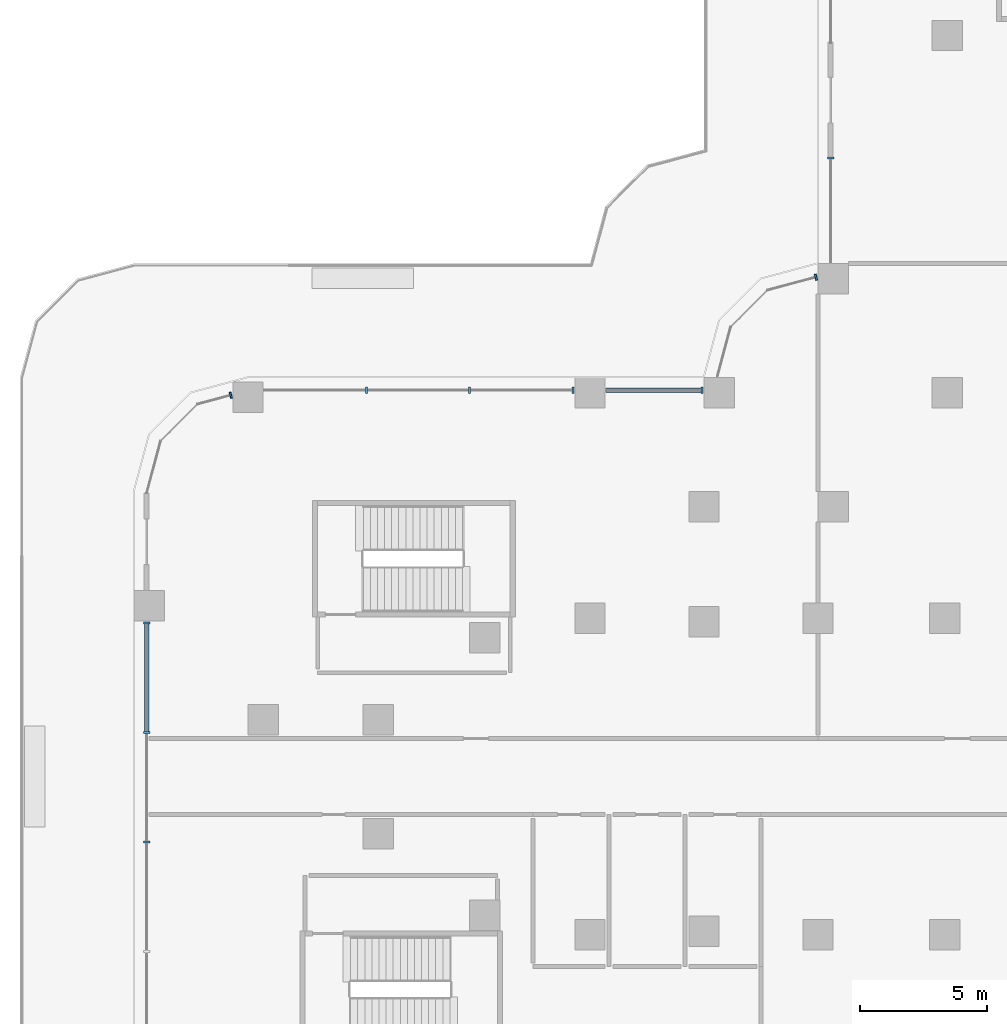
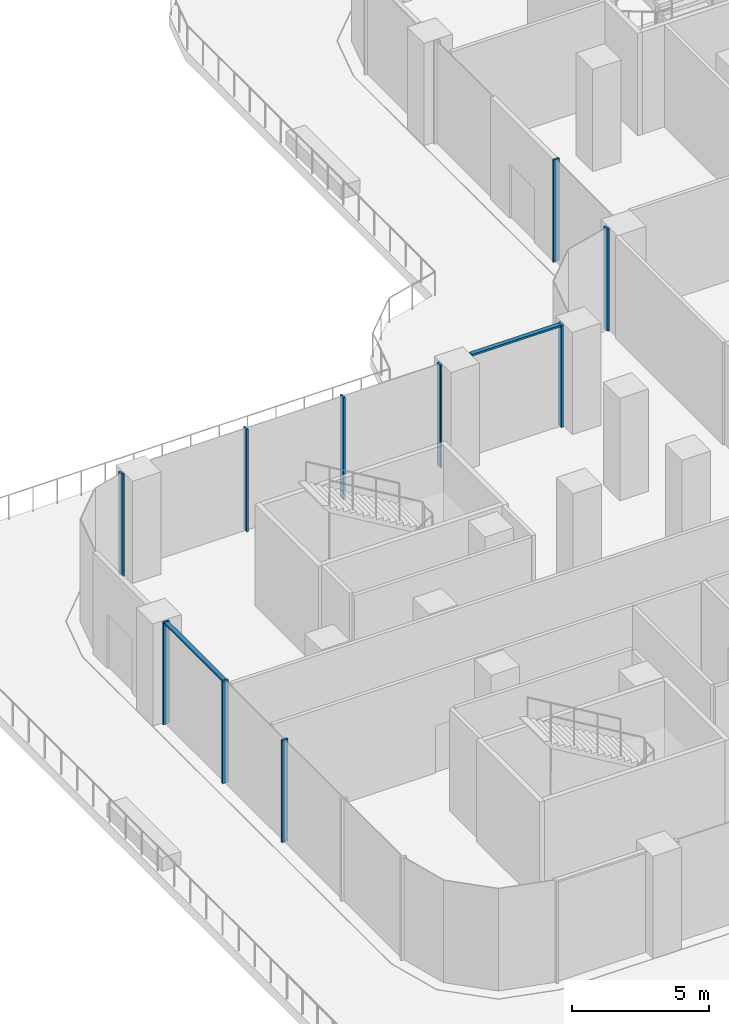
# One storey, part 7 of 27: 12 members, 5 elements without a shape of their own.
"""IFC4 building model written with IfcOpenShell, lengths in metres."""

from ifc_helpers import new_model, si_unit, direction, frame, origin, place, context, subcontext, project, spatial, polyline, outline, extrude, source, transform, mapped, material, type_object, element, aggregate, save


model = new_model("IFC4")

# Units and contexts
model_context = context("Model", 3, precision=1e-05, world=origin(), true_north=direction((0.0, 1.0)))
body_context = subcontext(model_context, "Body", "Model", "MODEL_VIEW")
ifc_project = project(units=[si_unit("LENGTHUNIT", "METRE"), si_unit("AREAUNIT", "SQUARE_METRE"), si_unit("VOLUMEUNIT", "CUBIC_METRE"), si_unit("PLANEANGLEUNIT", "RADIAN"), si_unit("MASSUNIT", "GRAM", prefix="KILO")], contexts=[model_context])

# Site, building, storey
site_placement = place(None, origin())
site = spatial("IfcSite", under=ifc_project, at=site_placement, CompositionType="ELEMENT")
building_placement = place(site_placement, origin())
building = spatial("IfcBuilding", under=site, at=building_placement, Name="Zarbagh Exchange Tower", CompositionType="ELEMENT")
storey_placement = place(building_placement, frame((0.0, 0.0, 17.0)))
storey = spatial("IfcBuildingStorey", under=building, at=storey_placement, Name="L03", CompositionType="ELEMENT", Elevation=17.0)

# Curtain wall, member
ifc_material_1 = material(Name="Anodised aluminium frame and glazing", Category="aluminium")
curtain_wall_type = type_object("IfcCurtainWallType", Name="CWC Podium garden-wall glazing", PredefinedType="NOTDEFINED", material=ifc_material_1)
curtain_wall_1_placement = place(storey_placement, origin())
curtain_wall_1 = element("IfcCurtainWall", 1, at=curtain_wall_1_placement, inside=storey, type_object=curtain_wall_type, Name="CWC174 curtain wall", PredefinedType="NOTDEFINED")
ifc_material_2 = material(Name="Anodised aluminium frame", Category="aluminium")
member_type_1 = type_object("IfcMemberType", Name="TRC Transom, anodised aluminium frame", PredefinedType="USERDEFINED", material=ifc_material_2)
shared_shape_1 = source(origin(), body_context, "Body", "SweptSolid", [
    extrude(outline(polyline([(-0.080078125, -0.090087890625), (0.0, -0.090087890625), (0.0, 0.090087890625), (-0.080078125, 0.090087890625), (-0.080078125, -0.090087890625)])), origin(), (0.0, 0.0, 1.0), 3.739990234375),
])
placement = place(storey_placement, origin())
member_1 = element("IfcMember", 2, at=placement, type_object=member_type_1, Name="CWC174 transom 1.1", ObjectType="TRANSOM", PredefinedType="USERDEFINED", context=body_context, shape_type="MappedRepresentation", body=[
    mapped(shared_shape_1, transform((-20.3701171875, 15.25, 4.550048828125), x_axis=(0.0, 0.0, 1.0), y_axis=(0.0, 1.0, 0.0), z_axis=(-1.0, 0.0, 0.0))),
])

curtain_wall_2_placement = place(storey_placement, origin())
curtain_wall_2 = element("IfcCurtainWall", 3, at=curtain_wall_2_placement, inside=storey, type_object=curtain_wall_type, Name="CWC170 curtain wall", PredefinedType="NOTDEFINED")
member_type_2 = type_object("IfcMemberType", Name="MUC Mullion, anodised aluminium frame", PredefinedType="MULLION", material=ifc_material_2)
shared_shape_2 = source(origin(), body_context, "Body", "SweptSolid", [
    extrude(outline(polyline([(0.0, -0.125), (0.080078125, -0.125), (0.080078125, 0.125), (0.0, 0.125), (0.0, -0.125)])), origin(), (0.0, 0.0, 1.0), 4.550048828125),
])
member_2 = element("IfcMember", 4, at=placement, type_object=member_type_2, Name="CWC170 mullion 3.1", PredefinedType="MULLION", context=body_context, shape_type="MappedRepresentation", body=[
    mapped(shared_shape_2, transform((-15.25, 24.449951171875, 0.0), x_axis=(0.0, -1.0, 0.0), y_axis=(1.0, 0.0, 0.0), z_axis=(0.0, 0.0, 1.0))),
])
aggregate(curtain_wall_2, [member_2])

curtain_wall_3_placement = place(storey_placement, origin())
curtain_wall_3 = element("IfcCurtainWall", 5, at=curtain_wall_3_placement, inside=storey, type_object=curtain_wall_type, Name="CWC171 curtain wall", PredefinedType="NOTDEFINED")
member_3 = element("IfcMember", 6, at=placement, type_object=member_type_2, Name="CWC171 mullion 1.1", PredefinedType="MULLION", context=body_context, shape_type="MappedRepresentation", body=[
    mapped(shared_shape_2, transform((-15.7900390625, 19.7216796875, 0.0), x_axis=(-0.965924289636, -0.258824779902, 0.0), y_axis=(0.258824779902, -0.965924289636, 0.0), z_axis=(0.0, 0.0, 1.0))),
])
aggregate(curtain_wall_3, [member_3])

# Member
member_4 = element("IfcMember", 7, at=placement, type_object=member_type_2, Name="CWC174 mullion 1.1", PredefinedType="MULLION", context=body_context, shape_type="MappedRepresentation", body=[
    mapped(shared_shape_2, transform((-20.2900390625, 15.25, 0.0), x_axis=(-1.0, 0.0, 0.0), y_axis=(0.0, -1.0, 0.0), z_axis=(0.0, 0.0, 1.0))),
])

member_5 = element("IfcMember", 8, at=placement, type_object=member_type_2, Name="CWC174 mullion 2.1", PredefinedType="MULLION", context=body_context, shape_type="MappedRepresentation", body=[
    mapped(shared_shape_2, transform((-25.39013671875, 15.25, 0.0), x_axis=(-1.0, 0.0, 0.0), y_axis=(0.0, -1.0, 0.0), z_axis=(0.0, 0.0, 1.0))),
])

member_6 = element("IfcMember", 9, at=placement, type_object=member_type_2, Name="CWC174 mullion 2.2", PredefinedType="MULLION", context=body_context, shape_type="MappedRepresentation", body=[
    mapped(shared_shape_2, transform((-29.46337890625, 15.25, 0.0), x_axis=(-1.0, 0.0, 0.0), y_axis=(0.0, -1.0, 0.0), z_axis=(0.0, 0.0, 1.0))),
])

member_7 = element("IfcMember", 10, at=placement, type_object=member_type_2, Name="CWC174 mullion 2.3", PredefinedType="MULLION", context=body_context, shape_type="MappedRepresentation", body=[
    mapped(shared_shape_2, transform((-33.53662109375, 15.25, 0.0), x_axis=(-1.0, 0.0, 0.0), y_axis=(0.0, -1.0, 0.0), z_axis=(0.0, 0.0, 1.0))),
])

aggregate(curtain_wall_1, [member_4, member_1, member_5, member_6, member_7])

# Curtain wall, member
curtain_wall_4_placement = place(storey_placement, origin())
curtain_wall_4 = element("IfcCurtainWall", 11, at=curtain_wall_4_placement, inside=storey, type_object=curtain_wall_type, Name="CWC175 curtain wall", PredefinedType="NOTDEFINED")
member_8 = element("IfcMember", 12, at=placement, type_object=member_type_2, Name="CWC175 mullion 1.1", PredefinedType="MULLION", context=body_context, shape_type="MappedRepresentation", body=[
    mapped(shared_shape_2, transform((-38.889892578125, 15.060791015625, 0.0), x_axis=(-0.965924289636, -0.258824779902, 0.0), y_axis=(0.258824779902, -0.965924289636, 0.0), z_axis=(0.0, 0.0, 1.0))),
])
aggregate(curtain_wall_4, [member_8])

# Curtain wall, members
curtain_wall_5_placement = place(storey_placement, origin())
curtain_wall_5 = element("IfcCurtainWall", 13, at=curtain_wall_5_placement, inside=storey, type_object=curtain_wall_type, Name="CWC178 curtain wall", PredefinedType="NOTDEFINED")
member_9 = element("IfcMember", 14, at=placement, type_object=member_type_2, Name="CWC178 mullion 1.1", PredefinedType="MULLION", context=body_context, shape_type="MappedRepresentation", body=[
    mapped(shared_shape_2, transform((-42.25, 6.10986328125, 0.0), x_axis=(0.0, -1.0, 0.0), y_axis=(1.0, 0.0, 0.0), z_axis=(0.0, 0.0, 1.0))),
])
member_10 = element("IfcMember", 15, at=placement, type_object=member_type_2, Name="CWC178 mullion 1.2", PredefinedType="MULLION", context=body_context, shape_type="MappedRepresentation", body=[
    mapped(shared_shape_2, transform((-42.25, 1.786376953125, 0.0), x_axis=(0.0, -1.0, 0.0), y_axis=(1.0, 0.0, 0.0), z_axis=(0.0, 0.0, 1.0))),
])
member_11 = element("IfcMember", 16, at=placement, type_object=member_type_2, Name="CWC178 mullion 1.3", PredefinedType="MULLION", context=body_context, shape_type="MappedRepresentation", body=[
    mapped(shared_shape_2, transform((-42.25, -2.537109375, 0.0), x_axis=(0.0, -1.0, 0.0), y_axis=(1.0, 0.0, 0.0), z_axis=(0.0, 0.0, 1.0))),
])
shared_shape_3 = source(origin(), body_context, "Body", "SweptSolid", [
    extrude(outline(polyline([(-0.080078125, -0.090087890625), (0.0, -0.090087890625), (0.0, 0.090087890625), (-0.080078125, 0.090087890625), (-0.080078125, -0.090087890625)])), origin(), (0.0, 0.0, 1.0), 4.243408203125),
])
member_12 = element("IfcMember", 17, at=placement, type_object=member_type_1, Name="CWC178 transom 1.1", ObjectType="TRANSOM", PredefinedType="USERDEFINED", context=body_context, shape_type="MappedRepresentation", body=[
    mapped(shared_shape_3, transform((-42.25, 6.030029296875, 4.550048828125), x_axis=(0.0, 0.0, 1.0), y_axis=(-1.0, 0.0, 0.0), z_axis=(0.0, -1.0, 0.0))),
])
aggregate(curtain_wall_5, [member_9, member_12, member_10, member_11])

save(model, "model.ifc")
